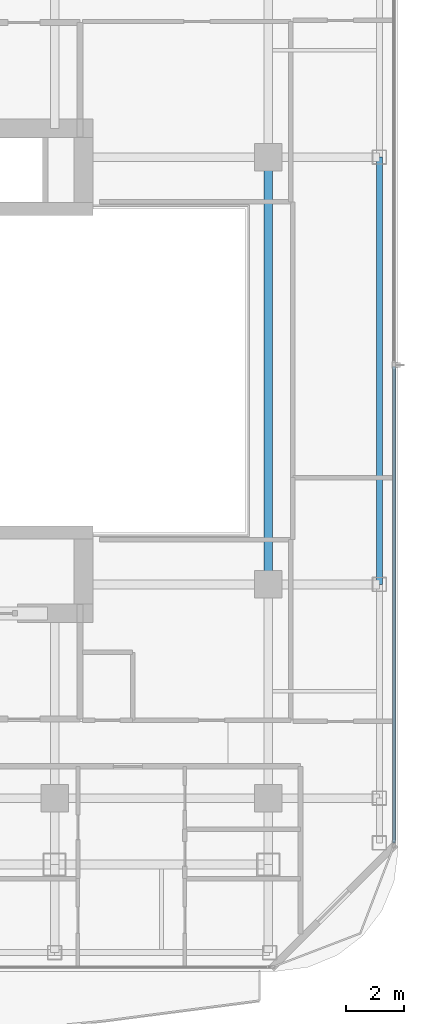
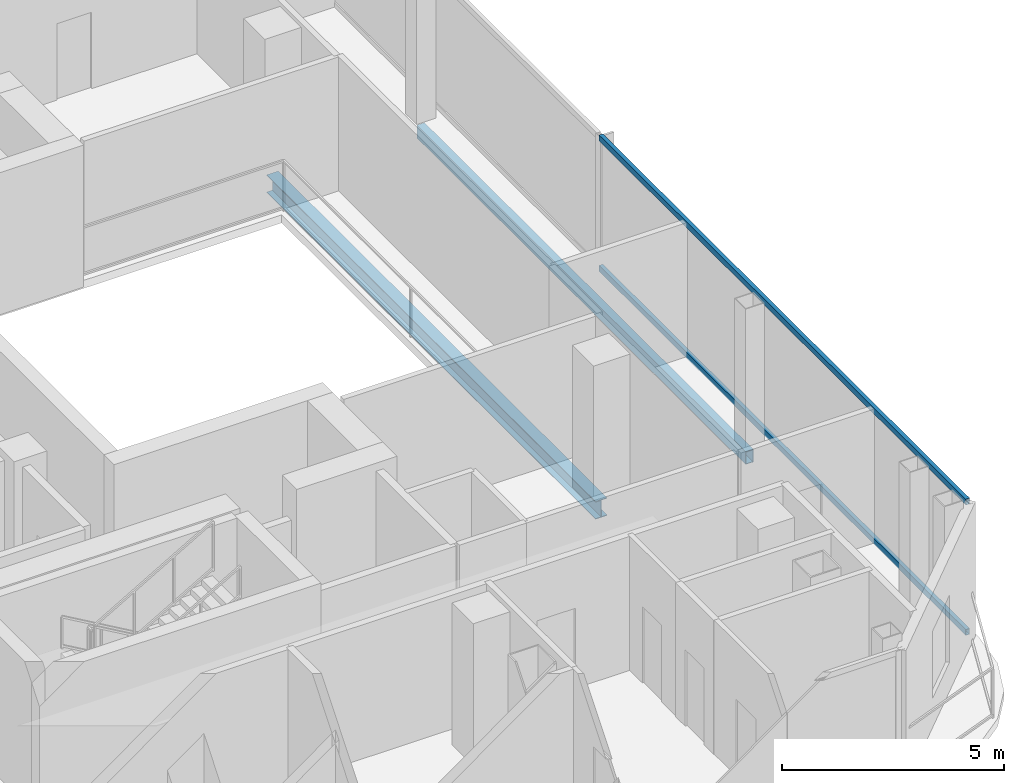
# One storey, part 9 of 26: 2 beams, 2 members, 1 element without a shape of its own.
"""IFC4 building model written with IfcOpenShell, lengths in metres."""

import ifcopenshell
import ifcopenshell.guid

model = None  # the IFC model being written
_history = None  # IfcOwnerHistory: only IFC2X3 demands one
_inside = {}  # id of a spatial element -> (the spatial element, [elements in it])
_under = {}  # id of a project, library or spatial element -> (it, [spatial elements below it])
_declared = {}  # id of a project -> (the project, [libraries it declares])
_typed = {}  # id of a type object -> (the type object, [elements of that type])
_made_of = {}  # id of a material, layer set ... -> (it, [elements and type objects made of it])


def new_model(schema):
    """Start an empty IFC model of exactly this schema.

    Asked for "IFC4X3", IfcOpenShell would pick the latest addendum, in which some entities
    have other attributes; the version numbers below select the first issue.
    IFC2X3 requires an IfcOwnerHistory on every rooted entity: one is made here for all.
    """
    global model, _history
    if schema == "IFC4X3":
        model = ifcopenshell.file(schema_version=(4, 3, 0, 0))
    else:
        model = ifcopenshell.file(schema=schema)
    _inside.clear()
    _under.clear()
    _declared.clear()
    _typed.clear()
    _made_of.clear()
    _history = None
    if model.schema == "IFC2X3":
        org = make("IfcOrganization", Name="unknown")
        user = make(
            "IfcPersonAndOrganization",
            ThePerson=make("IfcPerson", FamilyName="unknown"),
            TheOrganization=org,
        )
        app = make(
            "IfcApplication",
            ApplicationDeveloper=org,
            Version="unknown",
            ApplicationFullName="unknown",
            ApplicationIdentifier="unknown",
        )
        _history = make(
            "IfcOwnerHistory",
            OwningUser=user,
            OwningApplication=app,
            ChangeAction="ADDED",
            CreationDate=0,
        )
    return model


def make(cls, **values):
    """One entity of the class cls with the attributes given. An attribute that is None is left unset."""
    return model.create_entity(
        cls, **{name: value for name, value in values.items() if value is not None}
    )


def rooted(cls, **values):
    """An entity with a GlobalId (a new one), such as an element, a storey or a relation."""
    return make(cls, GlobalId=ifcopenshell.guid.new(), OwnerHistory=_history, **values)


def si_unit(unit_type, name, prefix=None):
    """IfcSIUnit, for example si_unit("LENGTHUNIT", "METRE", prefix="MILLI")."""
    return make("IfcSIUnit", UnitType=unit_type, Prefix=prefix, Name=name)


def assignment(units):
    """IfcUnitAssignment: the units of a project."""
    return None if units is None else make("IfcUnitAssignment", Units=units)


def point(xyz):
    """IfcCartesianPoint."""
    return None if xyz is None else make("IfcCartesianPoint", Coordinates=xyz)


def direction(xyz):
    """IfcDirection."""
    return None if xyz is None else make("IfcDirection", DirectionRatios=xyz)


def frame(location, z_axis=None, x_axis=None):
    """IfcAxis2Placement3D, a coordinate frame: its origin and axes. An axis left out is left unset."""
    return make(
        "IfcAxis2Placement3D",
        Location=point(location),
        Axis=direction(z_axis),
        RefDirection=direction(x_axis),
    )


def frame_2d(location, x_axis=None):
    """IfcAxis2Placement2D, a coordinate frame in the plane: its origin and x axis."""
    return make(
        "IfcAxis2Placement2D", Location=point(location), RefDirection=direction(x_axis)
    )


def origin():
    """The frame at (0, 0, 0) with its axes left unset."""
    return frame((0.0, 0.0, 0.0))


def origin_2d():
    """The frame at (0, 0) in the plane with its x axis left unset."""
    return frame_2d((0.0, 0.0))


def place(relative_to, where):
    """IfcLocalPlacement: puts the frame where relative to a parent placement (None: the world)."""
    return make(
        "IfcLocalPlacement", PlacementRelTo=relative_to, RelativePlacement=where
    )


def context(
    kind, dimensions, precision=None, world=None, true_north=None, identifier=None
):
    """IfcGeometricRepresentationContext, for example the 3D "Model" context."""
    return make(
        "IfcGeometricRepresentationContext",
        ContextIdentifier=identifier,
        ContextType=kind,
        CoordinateSpaceDimension=dimensions,
        Precision=precision,
        WorldCoordinateSystem=world,
        TrueNorth=true_north,
    )


def subcontext(parent, identifier, kind, view, scale=None):
    """IfcGeometricRepresentationSubContext, for example "Body" below "Model"."""
    return make(
        "IfcGeometricRepresentationSubContext",
        ContextIdentifier=identifier,
        ContextType=kind,
        ParentContext=parent,
        TargetScale=scale,
        TargetView=view,
    )


def project(units=None, contexts=None):
    """IfcProject with its units and contexts."""
    return rooted(
        "IfcProject",
        Name="project",
        RepresentationContexts=contexts,
        UnitsInContext=assignment(units),
    )


def spatial(cls, under=None, at=None, **own):
    """A site, building, storey or space (cls), placed at a placement, below another one or the project."""
    s = rooted(cls, ObjectPlacement=at, **own)
    if under is not None:
        _under.setdefault(under.id(), (under, []))[1].append(s)
    return s


def profile(cls, at=None, kind="AREA", **sizes):
    """A parametric profile (cls). Its sizes go by their IFC names, for example OverallWidth=200.0."""
    return make(cls, ProfileType=kind, Position=at, **sizes)


def hollow_rectangle(**sizes):
    """IfcRectangleHollowProfileDef."""
    return profile("IfcRectangleHollowProfileDef", **sizes)


def i_section(**sizes):
    """IfcIShapeProfileDef."""
    return profile("IfcIShapeProfileDef", **sizes)


def extrude(swept, where, along, depth):
    """IfcExtrudedAreaSolid: the profile swept, set in the frame where, extruded along a direction by depth."""
    return make(
        "IfcExtrudedAreaSolid",
        SweptArea=swept,
        Position=where,
        ExtrudedDirection=direction(along),
        Depth=depth,
    )


def shape(context_of_items, identifier, shape_type, items):
    """IfcShapeRepresentation: the items that make up one representation, for example the "Body"."""
    return make(
        "IfcShapeRepresentation",
        ContextOfItems=context_of_items,
        RepresentationIdentifier=identifier,
        RepresentationType=shape_type,
        Items=items,
    )


def material(Name=None, Category=None):
    """IfcMaterial."""
    return make("IfcMaterial", Name=Name, Category=Category)


def layer(
    of_material, thickness, ventilated=None, Name=None, Category=None, Priority=None
):
    """IfcMaterialLayer: one layer of a wall or slab, of a material (None: an air gap)."""
    return make(
        "IfcMaterialLayer",
        Material=of_material,
        LayerThickness=thickness,
        IsVentilated=ventilated,
        Name=Name,
        Category=Category,
        Priority=Priority,
    )


def layer_set(layers, Name=None):
    """IfcMaterialLayerSet."""
    return make("IfcMaterialLayerSet", MaterialLayers=layers, LayerSetName=Name)


def material_profile(
    of_material, cross_section, Name=None, Category=None, Priority=None
):
    """IfcMaterialProfile: a cross section and its material."""
    return make(
        "IfcMaterialProfile",
        Name=Name,
        Material=of_material,
        Profile=cross_section,
        Priority=Priority,
        Category=Category,
    )


def profile_set(profiles, Name=None, composite=None):
    """IfcMaterialProfileSet."""
    return make(
        "IfcMaterialProfileSet",
        Name=Name,
        MaterialProfiles=profiles,
        CompositeProfile=composite,
    )


def made_of(thing, what):
    """Note that an element or type object is made of a material, layer set ...; save() writes the relation."""
    if what is not None:
        _made_of.setdefault(what.id(), (what, []))[1].append(thing)
    return thing


def type_object(cls, material=None, **own):
    """A type object (cls), such as IfcWallType, which elements share."""
    return made_of(rooted(cls, **own), material)


def element(
    cls,
    number,
    at=None,
    inside=None,
    cuts=None,
    type_object=None,
    material=None,
    context=None,
    identifier="Body",
    shape_type=None,
    held_by="IfcProductDefinitionShape",
    body=None,
    shapes=None,
    **own,
):
    """One element of the class cls, such as IfcWall. Its Tag is "e" and its number.

    at: its placement. inside: the storey or other place that contains it. cuts: it is an
    opening in that element (IfcRelVoidsElement). A single representation is given by context,
    identifier, shape_type and body (its items); several are given by shapes. held_by: the class
    of the entity that holds the representations. save() writes the other relations.
    """
    e = rooted(cls, Tag="e%d" % number, ObjectPlacement=at, **own)
    if body is not None:
        shapes = [shape(context, identifier, shape_type, body)]
    if shapes is not None:
        e.Representation = make(held_by, Representations=shapes)
    if inside is not None:
        _inside.setdefault(inside.id(), (inside, []))[1].append(e)
    if cuts is not None:
        rooted(
            "IfcRelVoidsElement", RelatingBuildingElement=cuts, RelatedOpeningElement=e
        )
    if type_object is not None:
        _typed.setdefault(type_object.id(), (type_object, []))[1].append(e)
    return made_of(e, material)


def aggregate(whole, parts):
    """IfcRelAggregates: a whole, such as a stair, and the parts it consists of."""
    return rooted("IfcRelAggregates", RelatingObject=whole, RelatedObjects=parts)


def save(model, path):
    """Write the relations noted so far, then the file.

    IfcRelAggregates (storeys below a building ...), IfcRelContainedInSpatialStructure (elements
    in a storey), IfcRelDefinesByType, IfcRelAssociatesMaterial and IfcRelDeclares: one each for
    every whole, place, type object, material and project.
    """
    for whole, parts in _under.values():
        aggregate(whole, parts)
    for where, things in _inside.values():
        rooted(
            "IfcRelContainedInSpatialStructure",
            RelatedElements=things,
            RelatingStructure=where,
        )
    for kind, things in _typed.values():
        rooted("IfcRelDefinesByType", RelatedObjects=things, RelatingType=kind)
    for what, things in _made_of.values():
        rooted("IfcRelAssociatesMaterial", RelatedObjects=things, RelatingMaterial=what)
    for by, libraries in _declared.values():
        rooted("IfcRelDeclares", RelatingContext=by, RelatedDefinitions=libraries)
    model.write(path)


model = new_model("IFC4")

# Units and contexts
model_context = context("Model", 3, precision=1e-05, world=origin(), true_north=direction((0.0, 1.0)))
body_context = subcontext(model_context, "Body", "Model", "MODEL_VIEW")
ifc_project = project(units=[si_unit("LENGTHUNIT", "METRE"), si_unit("AREAUNIT", "SQUARE_METRE"), si_unit("VOLUMEUNIT", "CUBIC_METRE"), si_unit("PLANEANGLEUNIT", "RADIAN"), si_unit("MASSUNIT", "GRAM", prefix="KILO")], contexts=[model_context])

# Site, building, storey
site_placement = place(None, origin())
site = spatial("IfcSite", under=ifc_project, at=site_placement, CompositionType="ELEMENT")
building_placement = place(site_placement, origin())
building = spatial("IfcBuilding", under=site, at=building_placement, Name="Khorvyn Point Tower", CompositionType="ELEMENT")
storey_placement = place(building_placement, frame((0.0, 0.0, 289.800048828125)))
storey = spatial("IfcBuildingStorey", under=building, at=storey_placement, Name="L71", CompositionType="ELEMENT", Elevation=289.800048828125)

# Curtain wall, members
ifc_material_1 = material(Name="Anodised aluminium 6063-T6 and laminated Low-E glass", Category="aluminium")
ifc_layer = layer(ifc_material_1, 0.18994140625)
ifc_layer_set = layer_set([ifc_layer], Name="Stick-Built High-Wind Curtain Wall CW-SYS-04")
curtain_wall_type = type_object("IfcCurtainWallType", Name="Stick-Built High-Wind Curtain Wall CW-SYS-04", PredefinedType="NOTDEFINED", material=ifc_layer_set)
curtain_wall_placement = place(storey_placement, origin())
curtain_wall = element("IfcCurtainWall", 1, at=curtain_wall_placement, inside=storey, type_object=curtain_wall_type, Name="Curtain Wall", PredefinedType="NOTDEFINED")
ifc_material_2 = material(Name="Anodised aluminium 6063-T6", Category="aluminium")
ifc_material_profile_1 = material_profile(ifc_material_2, hollow_rectangle(XDim=0.10009765625, YDim=0.159912109375, WallThickness=0.00439453125, at=origin_2d()))
ifc_profile_set_1 = profile_set([ifc_material_profile_1], Name="Anodised aluminium 6063-T6 ALU-TRN-100x160")
member_type = type_object("IfcMemberType", Name="Anodised Aluminium 6063-T6 Transom ALU-TRN-100x160", PredefinedType="USERDEFINED", material=ifc_profile_set_1)
member_1_placement = place(storey_placement, frame((19.14990234375, 0.14990234375, 0.050048828125), z_axis=(0.0, -1.0, 0.0), x_axis=(1.0, 0.0, 0.0)))
member_1 = element("IfcMember", 2, at=member_1_placement, type_object=member_type, Name="Transom", ObjectType="TRANSOM", PredefinedType="USERDEFINED", context=body_context, shape_type="SweptSolid", body=[
    extrude(hollow_rectangle(XDim=0.10009765625, YDim=0.159912109375, WallThickness=0.00439453125, at=origin_2d()), origin(), (0.0, 0.0, 1.0), 16.5),
])
member_2_placement = place(storey_placement, frame((19.14990234375, 0.14990234375, 3.6298828125), z_axis=(0.0, -1.0, 0.0), x_axis=(1.0, 0.0, 0.0)))
member_2 = element("IfcMember", 3, at=member_2_placement, type_object=member_type, Name="Transom", ObjectType="TRANSOM", PredefinedType="USERDEFINED", context=body_context, shape_type="SweptSolid", body=[
    extrude(hollow_rectangle(XDim=0.10009765625, YDim=0.159912109375, WallThickness=0.00439453125, at=origin_2d()), origin(), (0.0, 0.0, 1.0), 16.5),
])
aggregate(curtain_wall, [member_1, member_2])

# Beams
ifc_material_3 = material(Name="Steel S355", Category="steel")
ifc_material_profile_2 = material_profile(ifc_material_3, i_section(OverallWidth=0.300048828125, OverallDepth=0.488037109375, WebThickness=0.010986328125, FlangeThickness=0.01806640625, at=origin_2d()))
ifc_profile_set_2 = profile_set([ifc_material_profile_2], Name="Steel S355 H488x300x11x18")
beam_type_1 = type_object("IfcBeamType", Name="Steel S355 Spandrel H488x300x11x18", PredefinedType="SPANDREL", material=ifc_profile_set_2)
beam_1_placement = place(storey_placement, frame((14.800048828125, -7.39990234375, -0.464111328125), z_axis=(0.0, 1.0, 0.0), x_axis=(-1.0, 0.0, 0.0)))
element("IfcBeam", 4, at=beam_1_placement, inside=storey, type_object=beam_type_1, Name="Beam", PredefinedType="SPANDREL", context=body_context, shape_type="SweptSolid", body=[
    extrude(i_section(OverallWidth=0.300048828125, OverallDepth=0.488037109375, WebThickness=0.010986328125, FlangeThickness=0.01806640625, at=origin_2d()), origin(), (0.0, 0.0, 1.0), 14.7998046875),
])
ifc_material_profile_3 = material_profile(ifc_material_3, hollow_rectangle(XDim=0.199951171875, YDim=0.35009765625, WallThickness=0.013916015625, at=origin_2d()))
ifc_profile_set_3 = profile_set([ifc_material_profile_3], Name="Steel S355 RHS350x200x14")
beam_type_2 = type_object("IfcBeamType", Name="Steel S355 Spandrel RHS350x200x14", PredefinedType="SPANDREL", material=ifc_profile_set_3)
beam_2_placement = place(storey_placement, frame((18.64990234375, -7.39990234375, -0.39501953125), z_axis=(0.0, 1.0, 0.0), x_axis=(-1.0, 0.0, 0.0)))
element("IfcBeam", 5, at=beam_2_placement, inside=storey, type_object=beam_type_2, Name="Beam", PredefinedType="SPANDREL", context=body_context, shape_type="SweptSolid", body=[
    extrude(hollow_rectangle(XDim=0.199951171875, YDim=0.35009765625, WallThickness=0.013916015625, at=origin_2d()), origin(), (0.0, 0.0, 1.0), 14.7998046875),
])

save(model, "model.ifc")
